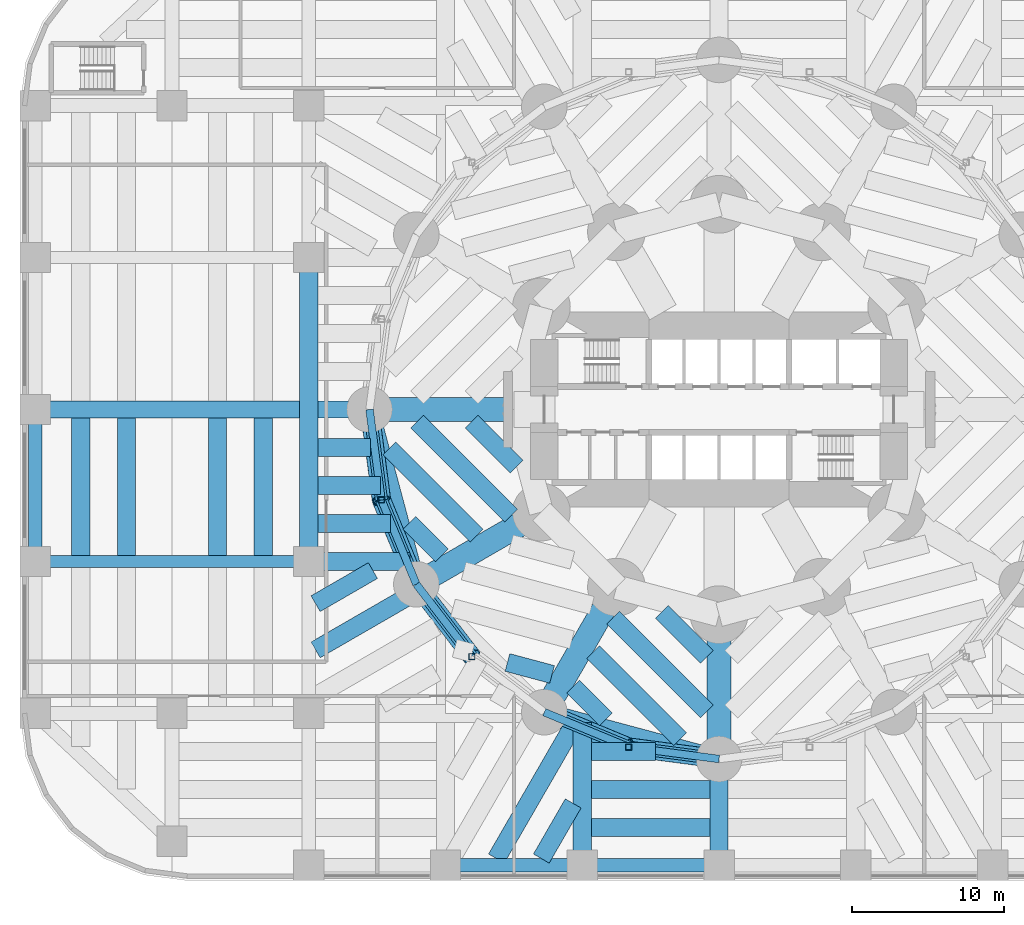
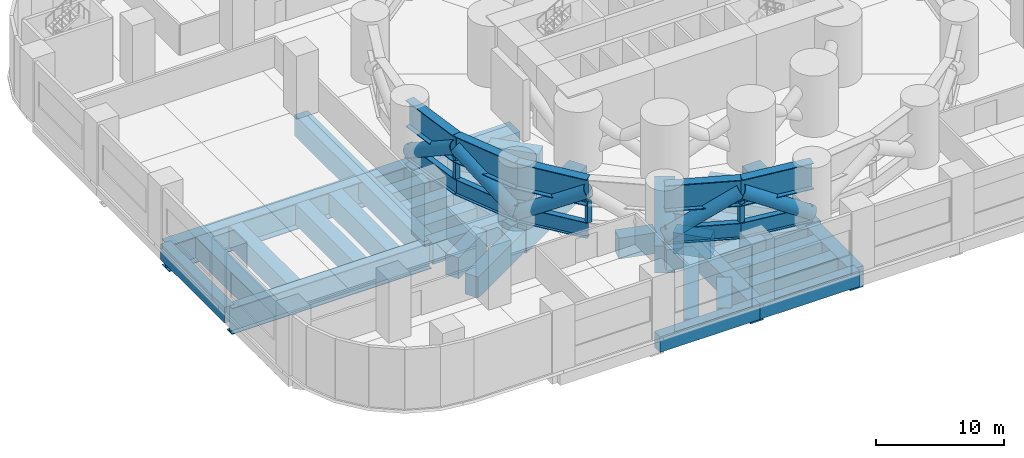
# One storey, part 2 of 14: 48 beams, 8 members.
"""IFC4 building model written with IfcOpenShell, lengths in metres."""

import ifcopenshell
import ifcopenshell.guid

model = None  # the IFC model being written
_history = None  # IfcOwnerHistory: only IFC2X3 demands one
_inside = {}  # id of a spatial element -> (the spatial element, [elements in it])
_under = {}  # id of a project, library or spatial element -> (it, [spatial elements below it])
_declared = {}  # id of a project -> (the project, [libraries it declares])
_typed = {}  # id of a type object -> (the type object, [elements of that type])
_made_of = {}  # id of a material, layer set ... -> (it, [elements and type objects made of it])


def new_model(schema):
    """Start an empty IFC model of exactly this schema.

    Asked for "IFC4X3", IfcOpenShell would pick the latest addendum, in which some entities
    have other attributes; the version numbers below select the first issue.
    IFC2X3 requires an IfcOwnerHistory on every rooted entity: one is made here for all.
    """
    global model, _history
    if schema == "IFC4X3":
        model = ifcopenshell.file(schema_version=(4, 3, 0, 0))
    else:
        model = ifcopenshell.file(schema=schema)
    _inside.clear()
    _under.clear()
    _declared.clear()
    _typed.clear()
    _made_of.clear()
    _history = None
    if model.schema == "IFC2X3":
        org = make("IfcOrganization", Name="unknown")
        user = make(
            "IfcPersonAndOrganization",
            ThePerson=make("IfcPerson", FamilyName="unknown"),
            TheOrganization=org,
        )
        app = make(
            "IfcApplication",
            ApplicationDeveloper=org,
            Version="unknown",
            ApplicationFullName="unknown",
            ApplicationIdentifier="unknown",
        )
        _history = make(
            "IfcOwnerHistory",
            OwningUser=user,
            OwningApplication=app,
            ChangeAction="ADDED",
            CreationDate=0,
        )
    return model


def make(cls, **values):
    """One entity of the class cls with the attributes given. An attribute that is None is left unset."""
    return model.create_entity(
        cls, **{name: value for name, value in values.items() if value is not None}
    )


def rooted(cls, **values):
    """An entity with a GlobalId (a new one), such as an element, a storey or a relation."""
    return make(cls, GlobalId=ifcopenshell.guid.new(), OwnerHistory=_history, **values)


def si_unit(unit_type, name, prefix=None):
    """IfcSIUnit, for example si_unit("LENGTHUNIT", "METRE", prefix="MILLI")."""
    return make("IfcSIUnit", UnitType=unit_type, Prefix=prefix, Name=name)


def assignment(units):
    """IfcUnitAssignment: the units of a project."""
    return None if units is None else make("IfcUnitAssignment", Units=units)


def point(xyz):
    """IfcCartesianPoint."""
    return None if xyz is None else make("IfcCartesianPoint", Coordinates=xyz)


def direction(xyz):
    """IfcDirection."""
    return None if xyz is None else make("IfcDirection", DirectionRatios=xyz)


def frame(location, z_axis=None, x_axis=None):
    """IfcAxis2Placement3D, a coordinate frame: its origin and axes. An axis left out is left unset."""
    return make(
        "IfcAxis2Placement3D",
        Location=point(location),
        Axis=direction(z_axis),
        RefDirection=direction(x_axis),
    )


def frame_2d(location, x_axis=None):
    """IfcAxis2Placement2D, a coordinate frame in the plane: its origin and x axis."""
    return make(
        "IfcAxis2Placement2D", Location=point(location), RefDirection=direction(x_axis)
    )


def origin():
    """The frame at (0, 0, 0) with its axes left unset."""
    return frame((0.0, 0.0, 0.0))


def origin_2d():
    """The frame at (0, 0) in the plane with its x axis left unset."""
    return frame_2d((0.0, 0.0))


def place(relative_to, where):
    """IfcLocalPlacement: puts the frame where relative to a parent placement (None: the world)."""
    return make(
        "IfcLocalPlacement", PlacementRelTo=relative_to, RelativePlacement=where
    )


def context(
    kind, dimensions, precision=None, world=None, true_north=None, identifier=None
):
    """IfcGeometricRepresentationContext, for example the 3D "Model" context."""
    return make(
        "IfcGeometricRepresentationContext",
        ContextIdentifier=identifier,
        ContextType=kind,
        CoordinateSpaceDimension=dimensions,
        Precision=precision,
        WorldCoordinateSystem=world,
        TrueNorth=true_north,
    )


def subcontext(parent, identifier, kind, view, scale=None):
    """IfcGeometricRepresentationSubContext, for example "Body" below "Model"."""
    return make(
        "IfcGeometricRepresentationSubContext",
        ContextIdentifier=identifier,
        ContextType=kind,
        ParentContext=parent,
        TargetScale=scale,
        TargetView=view,
    )


def project(units=None, contexts=None):
    """IfcProject with its units and contexts."""
    return rooted(
        "IfcProject",
        Name="project",
        RepresentationContexts=contexts,
        UnitsInContext=assignment(units),
    )


def spatial(cls, under=None, at=None, **own):
    """A site, building, storey or space (cls), placed at a placement, below another one or the project."""
    s = rooted(cls, ObjectPlacement=at, **own)
    if under is not None:
        _under.setdefault(under.id(), (under, []))[1].append(s)
    return s


def profile(cls, at=None, kind="AREA", **sizes):
    """A parametric profile (cls). Its sizes go by their IFC names, for example OverallWidth=200.0."""
    return make(cls, ProfileType=kind, Position=at, **sizes)


def rectangle(**sizes):
    """IfcRectangleProfileDef."""
    return profile("IfcRectangleProfileDef", **sizes)


def hollow_rectangle(**sizes):
    """IfcRectangleHollowProfileDef."""
    return profile("IfcRectangleHollowProfileDef", **sizes)


def hollow_circle(**sizes):
    """IfcCircleHollowProfileDef."""
    return profile("IfcCircleHollowProfileDef", **sizes)


def i_section(**sizes):
    """IfcIShapeProfileDef."""
    return profile("IfcIShapeProfileDef", **sizes)


def extrude(swept, where, along, depth):
    """IfcExtrudedAreaSolid: the profile swept, set in the frame where, extruded along a direction by depth."""
    return make(
        "IfcExtrudedAreaSolid",
        SweptArea=swept,
        Position=where,
        ExtrudedDirection=direction(along),
        Depth=depth,
    )


def shape(context_of_items, identifier, shape_type, items):
    """IfcShapeRepresentation: the items that make up one representation, for example the "Body"."""
    return make(
        "IfcShapeRepresentation",
        ContextOfItems=context_of_items,
        RepresentationIdentifier=identifier,
        RepresentationType=shape_type,
        Items=items,
    )


def material(Name=None, Category=None):
    """IfcMaterial."""
    return make("IfcMaterial", Name=Name, Category=Category)


def material_profile(
    of_material, cross_section, Name=None, Category=None, Priority=None
):
    """IfcMaterialProfile: a cross section and its material."""
    return make(
        "IfcMaterialProfile",
        Name=Name,
        Material=of_material,
        Profile=cross_section,
        Priority=Priority,
        Category=Category,
    )


def profile_set(profiles, Name=None, composite=None):
    """IfcMaterialProfileSet."""
    return make(
        "IfcMaterialProfileSet",
        Name=Name,
        MaterialProfiles=profiles,
        CompositeProfile=composite,
    )


def made_of(thing, what):
    """Note that an element or type object is made of a material, layer set ...; save() writes the relation."""
    if what is not None:
        _made_of.setdefault(what.id(), (what, []))[1].append(thing)
    return thing


def type_object(cls, material=None, **own):
    """A type object (cls), such as IfcWallType, which elements share."""
    return made_of(rooted(cls, **own), material)


def element(
    cls,
    number,
    at=None,
    inside=None,
    cuts=None,
    type_object=None,
    material=None,
    context=None,
    identifier="Body",
    shape_type=None,
    held_by="IfcProductDefinitionShape",
    body=None,
    shapes=None,
    **own,
):
    """One element of the class cls, such as IfcWall. Its Tag is "e" and its number.

    at: its placement. inside: the storey or other place that contains it. cuts: it is an
    opening in that element (IfcRelVoidsElement). A single representation is given by context,
    identifier, shape_type and body (its items); several are given by shapes. held_by: the class
    of the entity that holds the representations. save() writes the other relations.
    """
    e = rooted(cls, Tag="e%d" % number, ObjectPlacement=at, **own)
    if body is not None:
        shapes = [shape(context, identifier, shape_type, body)]
    if shapes is not None:
        e.Representation = make(held_by, Representations=shapes)
    if inside is not None:
        _inside.setdefault(inside.id(), (inside, []))[1].append(e)
    if cuts is not None:
        rooted(
            "IfcRelVoidsElement", RelatingBuildingElement=cuts, RelatedOpeningElement=e
        )
    if type_object is not None:
        _typed.setdefault(type_object.id(), (type_object, []))[1].append(e)
    return made_of(e, material)


def aggregate(whole, parts):
    """IfcRelAggregates: a whole, such as a stair, and the parts it consists of."""
    return rooted("IfcRelAggregates", RelatingObject=whole, RelatedObjects=parts)


def save(model, path):
    """Write the relations noted so far, then the file.

    IfcRelAggregates (storeys below a building ...), IfcRelContainedInSpatialStructure (elements
    in a storey), IfcRelDefinesByType, IfcRelAssociatesMaterial and IfcRelDeclares: one each for
    every whole, place, type object, material and project.
    """
    for whole, parts in _under.values():
        aggregate(whole, parts)
    for where, things in _inside.values():
        rooted(
            "IfcRelContainedInSpatialStructure",
            RelatedElements=things,
            RelatingStructure=where,
        )
    for kind, things in _typed.values():
        rooted("IfcRelDefinesByType", RelatedObjects=things, RelatingType=kind)
    for what, things in _made_of.values():
        rooted("IfcRelAssociatesMaterial", RelatedObjects=things, RelatingMaterial=what)
    for by, libraries in _declared.values():
        rooted("IfcRelDeclares", RelatingContext=by, RelatedDefinitions=libraries)
    model.write(path)


model = new_model("IFC4")

# Units and contexts
model_context = context("Model", 3, precision=1e-05, world=origin(), true_north=direction((0.0, 1.0)))
body_context = subcontext(model_context, "Body", "Model", "MODEL_VIEW")
ifc_project = project(units=[si_unit("LENGTHUNIT", "METRE"), si_unit("AREAUNIT", "SQUARE_METRE"), si_unit("VOLUMEUNIT", "CUBIC_METRE"), si_unit("PLANEANGLEUNIT", "RADIAN"), si_unit("MASSUNIT", "GRAM", prefix="KILO")], contexts=[model_context])

# Site, building, storey
site_placement = place(None, origin())
site = spatial("IfcSite", under=ifc_project, at=site_placement, CompositionType="ELEMENT")
building_placement = place(site_placement, origin())
building = spatial("IfcBuilding", under=site, at=building_placement, Name="Qaws Media Tower", CompositionType="ELEMENT")
storey_placement = place(building_placement, frame((0.0, 0.0, 20.0)))
storey = spatial("IfcBuildingStorey", under=building, at=storey_placement, Name="L03", CompositionType="ELEMENT", Elevation=20.0)

# Beams
ifc_material_1 = material(Name="Concrete C60/75", Category="concrete")
ifc_material_profile_1 = material_profile(ifc_material_1, rectangle(XDim=1.199951171875, YDim=2.0, at=origin_2d()), Name="RC 1200x2000")
ifc_profile_set_1 = profile_set([ifc_material_profile_1], Name="Concrete C60/75")
beam_type_1 = type_object("IfcBeamType", Name="Podium long trimmer beam RC 1200x2000", PredefinedType="BEAM", material=ifc_profile_set_1)
beam_1_placement = place(storey_placement, frame((33.0, 40.0, -1.300048828125), z_axis=(0.0, 1.0, 0.0), x_axis=(-1.0, 0.0, 0.0)))
element("IfcBeam", 1, at=beam_1_placement, inside=storey, type_object=beam_type_1, Name="PB11 beam 3/C-3/E", PredefinedType="BEAM", context=body_context, shape_type="SweptSolid", body=[
    extrude(rectangle(XDim=1.199951171875, YDim=2.0, at=origin_2d()), origin(), (0.0, 0.0, 1.0), 20.0),
])
ifc_material_2 = material(Name="Concrete C60/75", Category="concrete")
ifc_material_profile_2 = material_profile(ifc_material_2, rectangle(XDim=1.199951171875, YDim=2.0, at=origin_2d()), Name="RC 1200x2000")
ifc_profile_set_2 = profile_set([ifc_material_profile_2], Name="Concrete C60/75")
beam_type_2 = type_object("IfcBeamType", Name="Podium plant floor edge beam RC 1200x2000", PredefinedType="BEAM", material=ifc_profile_set_2)
for number, where, z_axis, x_axis, name in (
    (2, (37.0, 50.0, -1.300048828125), (0.258809885148, -0.965928280645, 0.0), (0.965928280645, 0.258809885148, 0.0), "PB12 beam M07-M08"),
    (3, (48.5, 30.081298828125, -1.300048828125), (0.965928280645, -0.258809885148, 0.0), (0.258809885148, 0.965928280645, 0.0), "PB12 beam M09-M10"),
):
    element("IfcBeam", number, at=place(storey_placement, frame(where, z_axis=z_axis, x_axis=x_axis)), inside=storey, type_object=beam_type_2, Name=name, PredefinedType="BEAM", context=body_context, shape_type="SweptSolid", body=[
        extrude(rectangle(XDim=1.199951171875, YDim=2.0, at=origin_2d()), origin(), (0.0, 0.0, 1.0), 11.90576171875),
    ])
ifc_material_3 = material(Name="Concrete C60/75", Category="concrete")
ifc_material_profile_3 = material_profile(ifc_material_3, rectangle(XDim=0.89990234375, YDim=1.5, at=origin_2d()), Name="RC 900x1500")
ifc_profile_set_3 = profile_set([ifc_material_profile_3], Name="Concrete C60/75")
beam_type_3 = type_object("IfcBeamType", Name="Podium plant floor girder RC 900x1500", PredefinedType="BEAM", material=ifc_profile_set_3)
for number, where, z_axis, x_axis, name in (
    (4, (42.0, 20.0, -1.050048828125), (1.0, 0.0, 0.0), (0.0, 1.0, 0.0), "PB6 beam 4-5/A"),
    (5, (51.0, 20.0, -1.050048828125), (1.0, 0.0, 0.0), (0.0, 1.0, 0.0), "PB6 beam 5-6/A"),
):
    element("IfcBeam", number, at=place(storey_placement, frame(where, z_axis=z_axis, x_axis=x_axis)), inside=storey, type_object=beam_type_3, Name=name, PredefinedType="BEAM", context=body_context, shape_type="SweptSolid", body=[
        extrude(rectangle(XDim=0.89990234375, YDim=1.5, at=origin_2d()), origin(), (0.0, 0.0, 1.0), 9.0),
    ])
beam_2_placement = place(storey_placement, frame((15.0, 40.0, -1.050048828125), z_axis=(0.0, 1.0, 0.0), x_axis=(-1.0, 0.0, 0.0)))
element("IfcBeam", 6, at=beam_2_placement, inside=storey, type_object=beam_type_3, Name="PB6 beam 1/C-D", PredefinedType="BEAM", context=body_context, shape_type="SweptSolid", body=[
    extrude(rectangle(XDim=0.89990234375, YDim=1.5, at=origin_2d()), origin(), (0.0, 0.0, 1.0), 10.0),
])
ifc_material_4 = material(Name="Concrete C60/75", Category="concrete")
ifc_material_profile_4 = material_profile(ifc_material_4, rectangle(XDim=1.199951171875, YDim=2.0, at=origin_2d()), Name="RC 1200x2000")
ifc_profile_set_4 = profile_set([ifc_material_profile_4], Name="Concrete C60/75")
beam_type_4 = type_object("IfcBeamType", Name="Podium secondary beam RC 1200x2000", PredefinedType="BEAM", material=ifc_profile_set_4)
for number, where, z_axis, x_axis, name in (
    (7, (21.0, 40.39990234375, -1.300048828125), (0.0, 1.0, 0.0), (-1.0, 0.0, 0.0), "PB7 beam bay 1C line 1"),
    (8, (18.0, 40.39990234375, -1.300048828125), (0.0, 1.0, 0.0), (-1.0, 0.0, 0.0), "PB7 beam bay 1C line 2"),
    (9, (30.0, 40.39990234375, -1.300048828125), (0.0, 1.0, 0.0), (-1.0, 0.0, 0.0), "PB7 beam bay 2C line 1"),
    (10, (27.0, 40.39990234375, -1.300048828125), (0.0, 1.0, 0.0), (-1.0, 0.0, 0.0), "PB7 beam bay 2C line 2"),
):
    element("IfcBeam", number, at=place(storey_placement, frame(where, z_axis=z_axis, x_axis=x_axis)), inside=storey, type_object=beam_type_4, Name=name, PredefinedType="BEAM", context=body_context, shape_type="SweptSolid", body=[
        extrude(rectangle(XDim=1.199951171875, YDim=2.0, at=origin_2d()), origin(), (0.0, 0.0, 1.0), 9.050048828125),
    ])
beam_3_placement = place(storey_placement, frame((33.449951171875, 34.181396484375, -1.300048828125), z_axis=(0.866032193116, 0.499988240348, 0.0), x_axis=(-0.499988240348, 0.866032193116, 0.0)))
element("IfcBeam", 11, at=beam_3_placement, inside=storey, type_object=beam_type_4, Name="PB7 beam bay 3B line 3", PredefinedType="BEAM", context=body_context, shape_type="SweptSolid", body=[
    extrude(rectangle(XDim=1.199951171875, YDim=2.0, at=origin_2d()), origin(), (0.0, 0.0, 1.0), 7.394775390625),
])
beam_4_placement = place(storey_placement, frame((33.449951171875, 37.220458984375, -1.300048828125), z_axis=(0.866025157913, 0.500000425862, 0.0), x_axis=(-0.500000425862, 0.866025157913, 0.0)))
element("IfcBeam", 12, at=beam_4_placement, inside=storey, type_object=beam_type_4, Name="PB7 beam bay 3B line 4", PredefinedType="BEAM", context=body_context, shape_type="SweptSolid", body=[
    extrude(rectangle(XDim=1.199951171875, YDim=2.0, at=origin_2d()), origin(), (0.0, 0.0, 1.0), 4.35888671875),
])
beam_5_placement = place(storey_placement, frame((33.60009765625, 42.5, -1.300048828125), z_axis=(1.0, 0.0, 0.0), x_axis=(0.0, 1.0, 0.0)))
element("IfcBeam", 13, at=beam_5_placement, inside=storey, type_object=beam_type_4, Name="PB7 beam bay 3C line 1", PredefinedType="BEAM", context=body_context, shape_type="SweptSolid", body=[
    extrude(rectangle(XDim=1.199951171875, YDim=2.0, at=origin_2d()), origin(), (0.0, 0.0, 1.0), 4.788330078125),
])
beam_6_placement = place(storey_placement, frame((33.60009765625, 45.0, -1.300048828125), z_axis=(1.0, 0.0, 0.0), x_axis=(0.0, 1.0, 0.0)))
element("IfcBeam", 14, at=beam_6_placement, inside=storey, type_object=beam_type_4, Name="PB7 beam bay 3C line 2", PredefinedType="BEAM", context=body_context, shape_type="SweptSolid", body=[
    extrude(rectangle(XDim=1.199951171875, YDim=2.0, at=origin_2d()), origin(), (0.0, 0.0, 1.0), 4.118408203125),
])
beam_7_placement = place(storey_placement, frame((33.60009765625, 47.5, -1.300048828125), z_axis=(1.0, 0.0, 0.0), x_axis=(0.0, 1.0, 0.0)))
element("IfcBeam", 15, at=beam_7_placement, inside=storey, type_object=beam_type_4, Name="PB7 beam bay 3C line 3", PredefinedType="BEAM", context=body_context, shape_type="SweptSolid", body=[
    extrude(rectangle(XDim=1.199951171875, YDim=2.0, at=origin_2d()), origin(), (0.0, 0.0, 1.0), 3.44873046875),
])
beam_8_placement = place(storey_placement, frame((48.30517578125, 20.449951171875, -1.300048828125), z_axis=(0.499974664501, 0.866040030748, 0.0), x_axis=(-0.866040030748, 0.499974664501, 0.0)))
element("IfcBeam", 16, at=beam_8_placement, inside=storey, type_object=beam_type_4, Name="PB7 beam bay 4A line 1", PredefinedType="BEAM", context=body_context, shape_type="SweptSolid", body=[
    extrude(rectangle(XDim=1.199951171875, YDim=2.0, at=origin_2d()), origin(), (0.0, 0.0, 1.0), 4.189697265625),
])
beam_9_placement = place(storey_placement, frame((45.350341796875, 20.449951171875, -1.300048828125), z_axis=(0.500013403465, 0.866017665152, 0.0), x_axis=(-0.866017665152, 0.500013403465, 0.0)))
element("IfcBeam", 17, at=beam_9_placement, inside=storey, type_object=beam_type_4, Name="PB7 beam bay 4A line 2", PredefinedType="BEAM", context=body_context, shape_type="SweptSolid", body=[
    extrude(rectangle(XDim=1.199951171875, YDim=2.0, at=origin_2d()), origin(), (0.0, 0.0, 1.0), 9.854248046875),
])
for number, where, z_axis, x_axis, name in (
    (18, (51.60009765625, 22.5, -1.300048828125), (1.0, 0.0, 0.0), (0.0, 1.0, 0.0), "PB7 beam bay 5A line 1"),
    (19, (51.60009765625, 25.0, -1.300048828125), (1.0, 0.0, 0.0), (0.0, 1.0, 0.0), "PB7 beam bay 5A line 2"),
):
    element("IfcBeam", number, at=place(storey_placement, frame(where, z_axis=z_axis, x_axis=x_axis)), inside=storey, type_object=beam_type_4, Name=name, PredefinedType="BEAM", context=body_context, shape_type="SweptSolid", body=[
        extrude(rectangle(XDim=1.199951171875, YDim=2.0, at=origin_2d()), origin(), (0.0, 0.0, 1.0), 7.7998046875),
    ])
beam_10_placement = place(storey_placement, frame((51.60009765625, 27.5, -1.300048828125), z_axis=(1.0, 0.0, 0.0), x_axis=(0.0, 1.0, 0.0)))
element("IfcBeam", 20, at=beam_10_placement, inside=storey, type_object=beam_type_4, Name="PB7 beam bay 5A line 3", PredefinedType="BEAM", context=body_context, shape_type="SweptSolid", body=[
    extrude(rectangle(XDim=1.199951171875, YDim=2.0, at=origin_2d()), origin(), (0.0, 0.0, 1.0), 4.215576171875),
])
beam_11_placement = place(storey_placement, frame((46.680419921875, 46.23583984375, -1.300048828125), z_axis=(-0.707106781187, 0.707106781187, 0.0), x_axis=(-0.707106781187, -0.707106781187, 0.0)))
element("IfcBeam", 21, at=beam_11_placement, inside=storey, type_object=beam_type_4, Name="PB7 beam bay T07 line 1", PredefinedType="BEAM", context=body_context, shape_type="SweptSolid", body=[
    extrude(rectangle(XDim=1.199951171875, YDim=2.0, at=origin_2d()), origin(), (0.0, 0.0, 1.0), 4.19189453125),
])
beam_12_placement = place(storey_placement, frame((46.311767578125, 43.020751953125, -1.300048828125), z_axis=(-0.707106781187, 0.707106781187, 0.0), x_axis=(-0.707106781187, -0.707106781187, 0.0)))
element("IfcBeam", 22, at=beam_12_placement, inside=storey, type_object=beam_type_4, Name="PB7 beam bay T07 line 2", PredefinedType="BEAM", context=body_context, shape_type="SweptSolid", body=[
    extrude(rectangle(XDim=1.199951171875, YDim=2.0, at=origin_2d()), origin(), (0.0, 0.0, 1.0), 8.73876953125),
])
beam_13_placement = place(storey_placement, frame((44.039794921875, 41.708984375, -1.300048828125), z_axis=(-0.707106781187, 0.707106781187, 0.0), x_axis=(-0.707106781187, -0.707106781187, 0.0)))
element("IfcBeam", 23, at=beam_13_placement, inside=storey, type_object=beam_type_4, Name="PB7 beam bay T07 line 3", PredefinedType="BEAM", context=body_context, shape_type="SweptSolid", body=[
    extrude(rectangle(XDim=1.199951171875, YDim=2.0, at=origin_2d()), origin(), (0.0, 0.0, 1.0), 8.108154296875),
])
for number, where, z_axis, x_axis, name in (
    (24, (41.767822265625, 40.3974609375, -1.300048828125), (-0.707146936034, 0.707066624059, 0.0), (-0.707066624059, -0.707146936034, 0.0), "PB7 beam bay T07 line 4"),
    (25, (49.01171875, 32.56787109375, -1.300048828125), (-0.965938372983, 0.258772215661, 0.0), (-0.258772215661, -0.965938372983, 0.0), "PB7 beam bay T08 line 4"),
):
    element("IfcBeam", number, at=place(storey_placement, frame(where, z_axis=z_axis, x_axis=x_axis)), inside=storey, type_object=beam_type_4, Name=name, PredefinedType="BEAM", context=body_context, shape_type="SweptSolid", body=[
        extrude(rectangle(XDim=1.199951171875, YDim=2.0, at=origin_2d()), origin(), (0.0, 0.0, 1.0), 3.039794921875),
    ])
beam_14_placement = place(storey_placement, frame((59.199951171875, 33.71630859375, -1.300048828125), z_axis=(-0.707106781187, 0.707106781187, 0.0), x_axis=(-0.707106781187, -0.707106781187, 0.0)))
element("IfcBeam", 26, at=beam_14_placement, inside=storey, type_object=beam_type_4, Name="PB7 beam bay T09 line 1", PredefinedType="BEAM", context=body_context, shape_type="SweptSolid", body=[
    extrude(rectangle(XDim=1.199951171875, YDim=2.0, at=origin_2d()), origin(), (0.0, 0.0, 1.0), 4.19189453125),
])
beam_15_placement = place(storey_placement, frame((59.199951171875, 30.132568359375, -1.300048828125), z_axis=(-0.707106781187, 0.707106781187, 0.0), x_axis=(-0.707106781187, -0.707106781187, 0.0)))
element("IfcBeam", 27, at=beam_15_placement, inside=storey, type_object=beam_type_4, Name="PB7 beam bay T09 line 2", PredefinedType="BEAM", context=body_context, shape_type="SweptSolid", body=[
    extrude(rectangle(XDim=1.199951171875, YDim=2.0, at=origin_2d()), origin(), (0.0, 0.0, 1.0), 8.73876953125),
])
beam_16_placement = place(storey_placement, frame((57.4423828125, 28.306396484375, -1.300048828125), z_axis=(-0.707106781187, 0.707106781187, 0.0), x_axis=(-0.707106781187, -0.707106781187, 0.0)))
element("IfcBeam", 28, at=beam_16_placement, inside=storey, type_object=beam_type_4, Name="PB7 beam bay T09 line 3", PredefinedType="BEAM", context=body_context, shape_type="SweptSolid", body=[
    extrude(rectangle(XDim=1.199951171875, YDim=2.0, at=origin_2d()), origin(), (0.0, 0.0, 1.0), 8.108154296875),
])
beam_17_placement = place(storey_placement, frame((52.546875, 29.6181640625, -1.300048828125), z_axis=(-0.707066624059, 0.707146936034, 0.0), x_axis=(-0.707146936034, -0.707066624059, 0.0)))
element("IfcBeam", 29, at=beam_17_placement, inside=storey, type_object=beam_type_4, Name="PB7 beam bay T09 line 4", PredefinedType="BEAM", context=body_context, shape_type="SweptSolid", body=[
    extrude(rectangle(XDim=1.199951171875, YDim=2.0, at=origin_2d()), origin(), (0.0, 0.0, 1.0), 3.039794921875),
])
ifc_material_5 = material(Name="Concrete C60/75", Category="concrete")
ifc_material_profile_5 = material_profile(ifc_material_5, rectangle(XDim=1.60009765625, YDim=2.60009765625, at=origin_2d()), Name="RC 1600x2600")
ifc_profile_set_5 = profile_set([ifc_material_profile_5], Name="Concrete C60/75")
beam_type_5 = type_object("IfcBeamType", Name="Podium tower beam RC 1600x2600", PredefinedType="BEAM", material=ifc_profile_set_5)
for number, where, z_axis, x_axis, name in (
    (30, (46.5, 50.0, -1.60009765625), (-1.0, 0.0, 0.0), (0.0, -1.0, 0.0), "PB9 beam I07-M07"),
    (31, (48.30859375, 43.25, -1.60009765625), (-0.86602681393, -0.499997557548, 0.0), (0.499997557548, -0.86602681393, 0.0), "PB9 beam I08-M08"),
    (32, (53.25, 38.30859375, -1.60009765625), (-0.499997557548, -0.86602681393, 0.0), (0.86602681393, -0.499997557548, 0.0), "PB9 beam I09-M09"),
    (33, (60.0, 36.5, -1.60009765625), (0.0, -1.0, 0.0), (1.0, 0.0, 0.0), "PB9 beam I10-M10"),
):
    element("IfcBeam", number, at=place(storey_placement, frame(where, z_axis=z_axis, x_axis=x_axis)), inside=storey, type_object=beam_type_5, Name=name, PredefinedType="BEAM", context=body_context, shape_type="SweptSolid", body=[
        extrude(rectangle(XDim=1.60009765625, YDim=2.60009765625, at=origin_2d()), origin(), (0.0, 0.0, 1.0), 9.5),
    ])
ifc_material_6 = material(Name="Concrete C60/75", Category="concrete")
ifc_material_profile_6 = material_profile(ifc_material_6, rectangle(XDim=1.199951171875, YDim=2.0, at=origin_2d()), Name="RC 1200x2000")
ifc_profile_set_6 = profile_set([ifc_material_profile_6], Name="Concrete C60/75")
beam_type_6 = type_object("IfcBeamType", Name="Podium trimmer beam RC 1200x2000", PredefinedType="BEAM", material=ifc_profile_set_6)
beam_18_placement = place(storey_placement, frame((33.0, 40.0, -1.300048828125), z_axis=(1.0, 0.0, 0.0), x_axis=(0.0, 1.0, 0.0)))
element("IfcBeam", 34, at=beam_18_placement, inside=storey, type_object=beam_type_6, Name="PB4 beam 3/C to the tower ring", PredefinedType="BEAM", context=body_context, shape_type="SweptSolid", body=[
    extrude(rectangle(XDim=1.199951171875, YDim=2.0, at=origin_2d()), origin(), (0.0, 0.0, 1.0), 6.679443359375),
])
beam_19_placement = place(storey_placement, frame((51.0, 20.0, -1.300048828125), z_axis=(0.0, 1.0, 0.0), x_axis=(-1.0, 0.0, 0.0)))
element("IfcBeam", 35, at=beam_19_placement, inside=storey, type_object=beam_type_6, Name="PB4 beam 5/A to the tower ring", PredefinedType="BEAM", context=body_context, shape_type="SweptSolid", body=[
    extrude(rectangle(XDim=1.199951171875, YDim=2.0, at=origin_2d()), origin(), (0.0, 0.0, 1.0), 9.41162109375),
])
beam_20_placement = place(storey_placement, frame((60.0, 20.0, -1.300048828125), z_axis=(0.0, 1.0, 0.0), x_axis=(-1.0, 0.0, 0.0)))
element("IfcBeam", 36, at=beam_20_placement, inside=storey, type_object=beam_type_6, Name="PB4 beam 6/A to the tower ring", PredefinedType="BEAM", context=body_context, shape_type="SweptSolid", body=[
    extrude(rectangle(XDim=1.199951171875, YDim=2.0, at=origin_2d()), origin(), (0.0, 0.0, 1.0), 7.0),
])
ifc_material_7 = material(Name="Steel S355", Category="steel")
ifc_material_profile_7 = material_profile(ifc_material_7, i_section(OverallWidth=1.10009765625, OverallDepth=2.5, WebThickness=0.031982421875, FlangeThickness=0.080078125, at=origin_2d()), Name="PG 2500x1100")
ifc_profile_set_7 = profile_set([ifc_material_profile_7], Name="Steel S355")
beam_type_7 = type_object("IfcBeamType", Name="Studio girder PG 2500x1100", PredefinedType="BEAM", material=ifc_profile_set_7)
beam_21_placement = place(storey_placement, frame((15.0, 50.0, -1.550048828125), z_axis=(1.0, 0.0, 0.0), x_axis=(0.0, 1.0, 0.0)))
element("IfcBeam", 37, at=beam_21_placement, inside=storey, type_object=beam_type_7, Name="SG2 studio A girder on grid D", PredefinedType="BEAM", context=body_context, shape_type="SweptSolid", body=[
    extrude(i_section(OverallWidth=1.10009765625, OverallDepth=2.5, WebThickness=0.031982421875, FlangeThickness=0.080078125, at=origin_2d()), origin(), (0.0, 0.0, 1.0), 22.0),
])
ifc_material_8 = material(Name="Steel S355", Category="steel")
ifc_material_profile_8 = material_profile(ifc_material_8, i_section(OverallWidth=0.800048828125, OverallDepth=2.5, WebThickness=0.030029296875, FlangeThickness=0.06494140625, at=origin_2d()), Name="PG 2500x800")
ifc_profile_set_8 = profile_set([ifc_material_profile_8], Name="Steel S355")
beam_type_8 = type_object("IfcBeamType", Name="Studio girder PG 2500x800", PredefinedType="BEAM", material=ifc_profile_set_8)
beam_22_placement = place(storey_placement, frame((15.0, 40.0, -1.550048828125), z_axis=(1.0, 0.0, 0.0), x_axis=(0.0, 1.0, 0.0)))
element("IfcBeam", 38, at=beam_22_placement, inside=storey, type_object=beam_type_8, Name="SG1 studio A girder on grid C", PredefinedType="BEAM", context=body_context, shape_type="SweptSolid", body=[
    extrude(i_section(OverallWidth=0.800048828125, OverallDepth=2.5, WebThickness=0.030029296875, FlangeThickness=0.06494140625, at=origin_2d()), origin(), (0.0, 0.0, 1.0), 18.0),
])
ifc_material_9 = material(Name="Steel S355", Category="steel")
ifc_material_profile_9 = material_profile(ifc_material_9, i_section(OverallWidth=0.5, OverallDepth=1.5, WebThickness=0.02001953125, FlangeThickness=0.0400390625, at=origin_2d()), Name="PG 1500x500")
ifc_profile_set_9 = profile_set([ifc_material_profile_9], Name="Steel S355")
beam_type_9 = type_object("IfcBeamType", Name="Transfer bottom chord PG 1500x500", PredefinedType="BEAM", material=ifc_profile_set_9)
for number, where, z_axis, x_axis, name in (
    (39, (37.0, 50.0, 0.75), (0.130522880875, -0.991445297315, 0.0), (0.991445297315, 0.130522880875, 0.0), "TG2 transfer bottom chord N13-N14"),
    (40, (37.78369140625, 44.047119140625, 0.75), (0.382671411433, -0.923884511653, 0.0), (0.923884511653, 0.382671411433, 0.0), "TG2 transfer bottom chord N14-N15"),
    (41, (40.081298828125, 38.5, 0.75), (0.608778912074, -0.793339924758, 0.0), (0.793339924758, 0.608778912074, 0.0), "TG2 transfer bottom chord N15-N16"),
    (42, (48.5, 30.081298828125, 0.75), (0.923884511653, -0.382671411433, 0.0), (0.382671411433, 0.923884511653, 0.0), "TG2 transfer bottom chord N17-N18"),
    (43, (54.047119140625, 27.78369140625, 0.75), (0.991445297315, -0.130522880875, 0.0), (0.130522880875, 0.991445297315, 0.0), "TG2 transfer bottom chord N18-N19"),
):
    element("IfcBeam", number, at=place(storey_placement, frame(where, z_axis=z_axis, x_axis=x_axis)), inside=storey, type_object=beam_type_9, Name=name, PredefinedType="BEAM", context=body_context, shape_type="SweptSolid", body=[
        extrude(i_section(OverallWidth=0.5, OverallDepth=1.5, WebThickness=0.02001953125, FlangeThickness=0.0400390625, at=origin_2d()), origin(), (0.0, 0.0, 1.0), 6.004150390625),
    ])
ifc_material_10 = material(Name="Steel S460", Category="steel")
ifc_material_profile_10 = material_profile(ifc_material_10, i_section(OverallWidth=0.800048828125, OverallDepth=2.5, WebThickness=0.030029296875, FlangeThickness=0.06494140625, at=origin_2d()), Name="PG 2500x800")
ifc_profile_set_10 = profile_set([ifc_material_profile_10], Name="Steel S460")
beam_type_10 = type_object("IfcBeamType", Name="Transfer ring girder PG 2500x800", PredefinedType="BEAM", material=ifc_profile_set_10)
for number, where, z_axis, x_axis, name in (
    (44, (37.0, 50.0, 4.449951171875), (0.130522880875, -0.991445297315, 0.0), (0.991445297315, 0.130522880875, 0.0), "TG1 transfer ring girder N13-N14"),
    (45, (37.78369140625, 44.047119140625, 4.449951171875), (0.382671411433, -0.923884511653, 0.0), (0.923884511653, 0.382671411433, 0.0), "TG1 transfer ring girder N14-N15"),
    (46, (40.081298828125, 38.5, 4.449951171875), (0.608778912074, -0.793339924758, 0.0), (0.793339924758, 0.608778912074, 0.0), "TG1 transfer ring girder N15-N16"),
    (47, (48.5, 30.081298828125, 4.449951171875), (0.923884511653, -0.382671411433, 0.0), (0.382671411433, 0.923884511653, 0.0), "TG1 transfer ring girder N17-N18"),
    (48, (54.047119140625, 27.78369140625, 4.449951171875), (0.991445297315, -0.130522880875, 0.0), (0.130522880875, 0.991445297315, 0.0), "TG1 transfer ring girder N18-N19"),
):
    element("IfcBeam", number, at=place(storey_placement, frame(where, z_axis=z_axis, x_axis=x_axis)), inside=storey, type_object=beam_type_10, Name=name, PredefinedType="BEAM", context=body_context, shape_type="SweptSolid", body=[
        extrude(i_section(OverallWidth=0.800048828125, OverallDepth=2.5, WebThickness=0.030029296875, FlangeThickness=0.06494140625, at=origin_2d()), origin(), (0.0, 0.0, 1.0), 6.004150390625),
    ])

# Members
ifc_material_11 = material(Name="Steel S460", Category="steel")
ifc_material_profile_11 = material_profile(ifc_material_11, hollow_circle(Radius=0.609619140625, WallThickness=0.06005859375, at=origin_2d()), Name="CHS 1219x60")
ifc_profile_set_11 = profile_set([ifc_material_profile_11], Name="Steel S460")
member_type_1 = type_object("IfcMemberType", Name="Transfer truss diagonal CHS 1219x60", PredefinedType="BRACE", material=ifc_profile_set_11)
member_1_placement = place(storey_placement, frame((37.0, 50.0, 0.75), z_axis=(0.111119318297, -0.844056803129, 0.524614725482), x_axis=(0.991445297315, 0.130522880875, 0.0)))
element("IfcMember", 49, at=member_1_placement, inside=storey, type_object=member_type_1, Name="TT1 transfer diagonal M07a", PredefinedType="BRACE", context=body_context, shape_type="SweptSolid", body=[
    extrude(hollow_circle(Radius=0.609619140625, WallThickness=0.06005859375, at=origin_2d()), origin(), (0.0, 0.0, 1.0), 7.052734375),
])
member_2_placement = place(storey_placement, frame((40.081298828125, 38.5, 0.75), z_axis=(-0.32578160724, 0.786535320167, 0.524622277943), x_axis=(-0.923884511653, -0.382671411433, 0.0)))
element("IfcMember", 50, at=member_2_placement, inside=storey, type_object=member_type_1, Name="TT1 transfer diagonal M07b", PredefinedType="BRACE", context=body_context, shape_type="SweptSolid", body=[
    extrude(hollow_circle(Radius=0.609619140625, WallThickness=0.06005859375, at=origin_2d()), origin(), (0.0, 0.0, 1.0), 7.052490234375),
])
member_3_placement = place(storey_placement, frame((40.081298828125, 38.5, 0.75), z_axis=(0.518278297177, -0.675402608617, 0.5246131174), x_axis=(0.793339924758, 0.608778912074, 0.0)))
element("IfcMember", 51, at=member_3_placement, inside=storey, type_object=member_type_1, Name="TT1 transfer diagonal M08a", PredefinedType="BRACE", context=body_context, shape_type="SweptSolid", body=[
    extrude(hollow_circle(Radius=0.609619140625, WallThickness=0.06005859375, at=origin_2d()), origin(), (0.0, 0.0, 1.0), 7.052734375),
])
member_4_placement = place(storey_placement, frame((48.5, 30.081298828125, 0.75), z_axis=(0.786535320167, -0.32578160724, 0.524622277943), x_axis=(0.382671411433, 0.923884511653, 0.0)))
element("IfcMember", 52, at=member_4_placement, inside=storey, type_object=member_type_1, Name="TT1 transfer diagonal M09a", PredefinedType="BRACE", context=body_context, shape_type="SweptSolid", body=[
    extrude(hollow_circle(Radius=0.609619140625, WallThickness=0.06005859375, at=origin_2d()), origin(), (0.0, 0.0, 1.0), 7.052490234375),
])
member_5_placement = place(storey_placement, frame((60.0, 27.0, 0.75), z_axis=(-0.844056803129, 0.111119318297, 0.524614725482), x_axis=(-0.130522880875, -0.991445297315, 0.0)))
element("IfcMember", 53, at=member_5_placement, inside=storey, type_object=member_type_1, Name="TT1 transfer diagonal M09b", PredefinedType="BRACE", context=body_context, shape_type="SweptSolid", body=[
    extrude(hollow_circle(Radius=0.609619140625, WallThickness=0.06005859375, at=origin_2d()), origin(), (0.0, 0.0, 1.0), 7.052734375),
])
ifc_material_12 = material(Name="Steel S355", Category="steel")
ifc_material_profile_12 = material_profile(ifc_material_12, hollow_rectangle(XDim=0.39990234375, YDim=0.39990234375, WallThickness=0.02001953125, at=origin_2d()), Name="SHS 400x400x20")
ifc_profile_set_12 = profile_set([ifc_material_profile_12], Name="Steel S355")
member_type_2 = type_object("IfcMemberType", Name="Transfer truss post SHS 400x400x20", PredefinedType="STRUT", material=ifc_profile_set_12)
for number, where, z_axis, x_axis, name in (
    (54, (37.78369140625, 44.047119140625, 1.5), (0.0, 0.0, 1.0), (1.0, 0.0, 0.0), "TT2 transfer post N14"),
    (55, (43.736572265625, 33.736572265625, 1.5), (0.0, 0.0, 1.0), (1.0, 0.0, 0.0), "TT2 transfer post N16"),
    (56, (54.047119140625, 27.78369140625, 1.5), (0.0, 0.0, 1.0), (1.0, 0.0, 0.0), "TT2 transfer post N18"),
):
    element("IfcMember", number, at=place(storey_placement, frame(where, z_axis=z_axis, x_axis=x_axis)), inside=storey, type_object=member_type_2, Name=name, PredefinedType="STRUT", context=body_context, shape_type="SweptSolid", body=[
        extrude(hollow_rectangle(XDim=0.39990234375, YDim=0.39990234375, WallThickness=0.02001953125, at=origin_2d()), origin(), (0.0, 0.0, 1.0), 2.050048828125),
    ])

save(model, "model.ifc")
